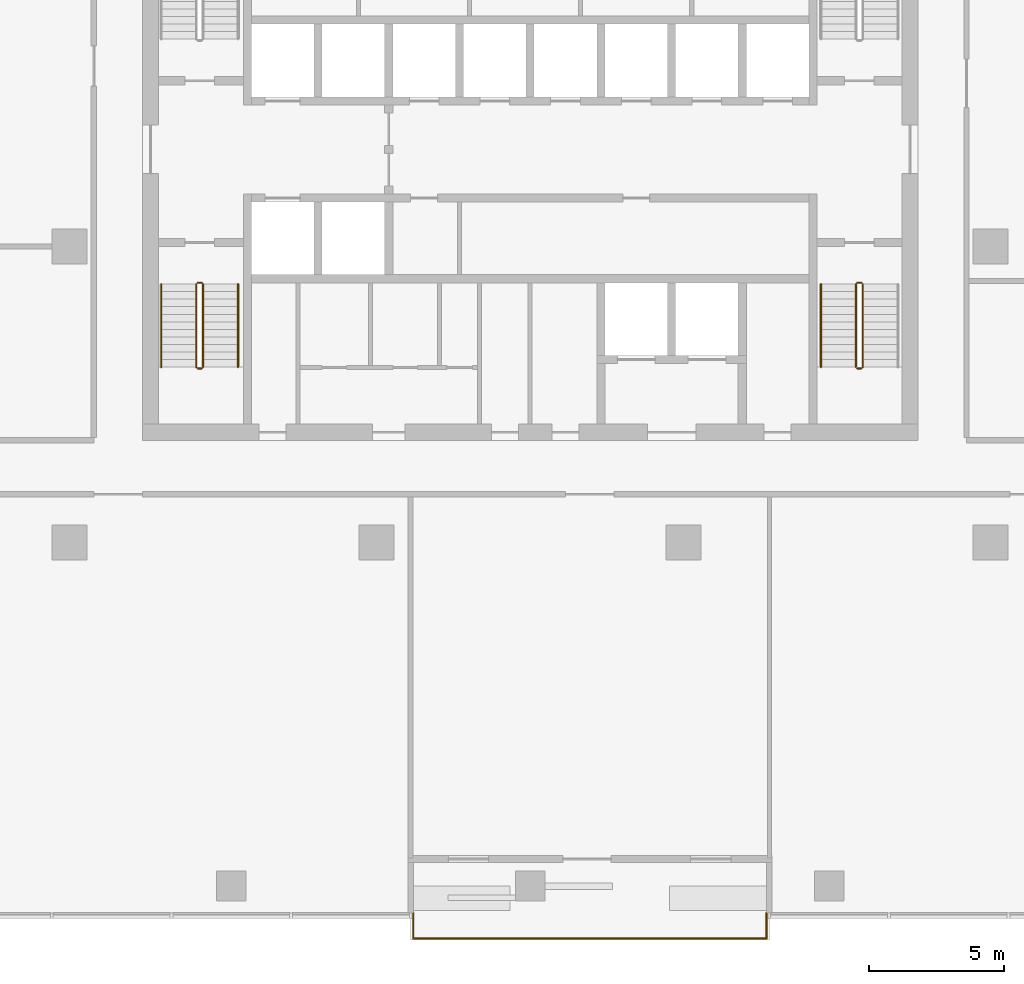
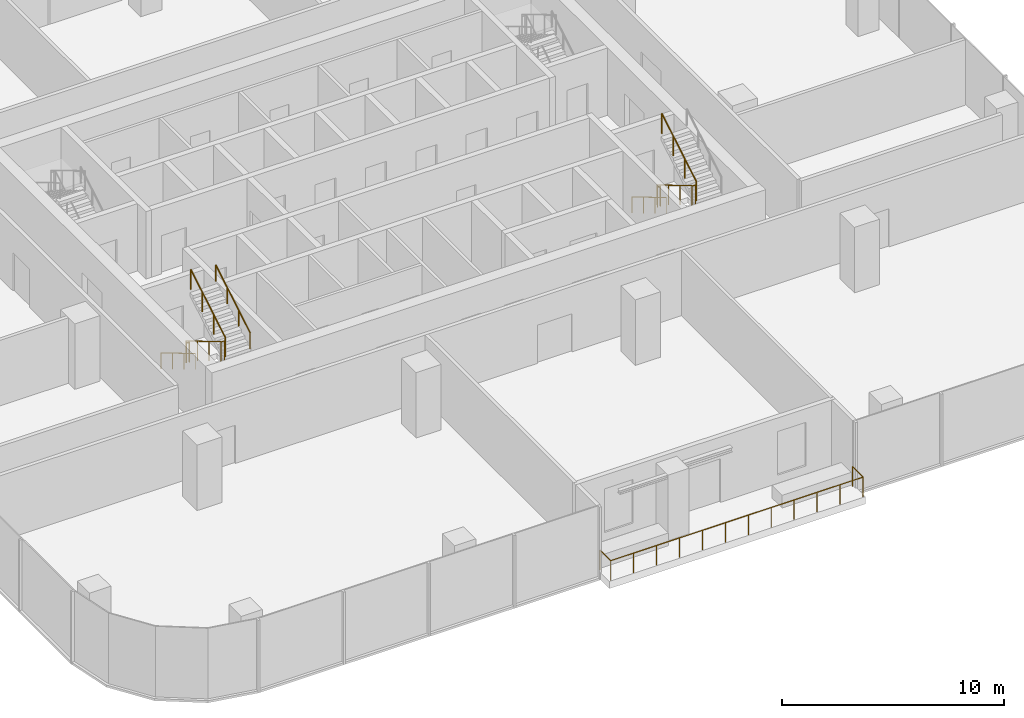
# One storey, part 11 of 14: 10 railings.
"""IFC4 building model written with IfcOpenShell, lengths in metres."""

from ifc_helpers import new_model, si_unit, direction, frame, origin, origin_2d, place, context, subcontext, project, spatial, circle, extrude, material, type_object, element, save


model = new_model("IFC4")

# Units and contexts
model_context = context("Model", 3, precision=1e-05, world=origin(), true_north=direction((0.0, 1.0)))
body_context = subcontext(model_context, "Body", "Model", "MODEL_VIEW")
ifc_project = project(units=[si_unit("LENGTHUNIT", "METRE"), si_unit("AREAUNIT", "SQUARE_METRE"), si_unit("VOLUMEUNIT", "CUBIC_METRE"), si_unit("PLANEANGLEUNIT", "RADIAN"), si_unit("MASSUNIT", "GRAM", prefix="KILO")], contexts=[model_context])

# Site, building, storey
site_placement = place(None, origin())
site = spatial("IfcSite", under=ifc_project, at=site_placement, CompositionType="ELEMENT")
building_placement = place(site_placement, origin())
building = spatial("IfcBuilding", under=site, at=building_placement, Name="Mopane Tessera Tower", CompositionType="ELEMENT")
storey_placement = place(building_placement, frame((0.0, 0.0, 239.0)))
storey = spatial("IfcBuildingStorey", under=building, at=storey_placement, Name="L51", CompositionType="ELEMENT", Elevation=239.0)

# Railings
ifc_material_1 = material(Name="Powder-coated steel balustrade", Category="steel")
railing_type_1 = type_object("IfcRailingType", Name="Escape stair guard 1100 mm", PredefinedType="GUARDRAIL", material=ifc_material_1)
railing_1_placement = place(storey_placement, frame((-12.39990234375, -1.39990234375, 0.166748046875)))
element("IfcRailing", 1, at=railing_1_placement, inside=storey, type_object=railing_type_1, Name="L51 ST1 stair guard 1", PredefinedType="GUARDRAIL", context=body_context, shape_type="SweptSolid", body=[
    extrude(circle(Radius=0.02392578125, at=origin_2d()), frame((0.0, 0.0, 1.076171875), z_axis=(0.0, -0.859308565015, 0.511457515432), x_axis=(1.0, 0.0, 0.0)), (0.0, 0.0, 1.0), 3.58447265625),
    extrude(circle(Radius=0.02392578125, at=origin_2d()), frame((0.0, -3.080078125, 2.9091796875), z_axis=(0.705375805398, -0.708833529934, 0.0), x_axis=(0.708833529934, 0.705375805398, 0.0)), (0.0, 0.0, 1.0), 0.070556640625),
    extrude(circle(Radius=0.02392578125, at=origin_2d()), frame((0.0498046875, -3.130126953125, 2.9091796875), z_axis=(1.0, 0.0, 0.0), x_axis=(0.0, 1.0, 0.0)), (0.0, 0.0, 1.0), 0.150146484375),
    extrude(circle(Radius=0.02099609375, at=origin_2d()), origin(), (0.0, 0.0, 1.0), 1.052001953125),
    extrude(circle(Radius=0.02099609375, at=origin_2d()), frame((0.0, -1.026611328125, 0.611083984375)), (0.0, 0.0, 1.0), 1.052001953125),
    extrude(circle(Radius=0.02099609375, at=origin_2d()), frame((0.0, -2.053466796875, 1.22216796875)), (0.0, 0.0, 1.0), 1.052001953125),
    extrude(circle(Radius=0.02099609375, at=origin_2d()), frame((0.0, -3.080078125, 1.833251953125)), (0.0, 0.0, 1.0), 1.052001953125),
    extrude(circle(Radius=0.02099609375, at=origin_2d()), frame((0.0498046875, -3.130126953125, 1.833251953125)), (0.0, 0.0, 1.0), 1.052001953125),
    extrude(circle(Radius=0.02099609375, at=origin_2d()), frame((0.199951171875, -3.130126953125, 1.833251953125)), (0.0, 0.0, 1.0), 1.052001953125),
])
railing_2_placement = place(storey_placement, frame((-12.14990234375, -4.47998046875, 2.166748046875)))
element("IfcRailing", 2, at=railing_2_placement, inside=storey, type_object=railing_type_1, Name="L51 ST1 stair guard 2", PredefinedType="GUARDRAIL", context=body_context, shape_type="SweptSolid", body=[
    extrude(circle(Radius=0.02392578125, at=origin_2d()), frame((0.0, 0.0, 1.076171875), z_axis=(0.0, 0.859308565015, 0.511457515432), x_axis=(-1.0, 0.0, 0.0)), (0.0, 0.0, 1.0), 3.58447265625),
    extrude(circle(Radius=0.02099609375, at=origin_2d()), origin(), (0.0, 0.0, 1.0), 1.052001953125),
    extrude(circle(Radius=0.02099609375, at=origin_2d()), frame((0.0, 1.026611328125, 0.611083984375)), (0.0, 0.0, 1.0), 1.052001953125),
    extrude(circle(Radius=0.02099609375, at=origin_2d()), frame((0.0, 2.053466796875, 1.22216796875)), (0.0, 0.0, 1.0), 1.052001953125),
    extrude(circle(Radius=0.02099609375, at=origin_2d()), frame((0.0, 3.080078125, 1.833251953125)), (0.0, 0.0, 1.0), 1.052001953125),
])
railing_3_placement = place(storey_placement, frame((-12.35009765625, -1.35009765625, 0.0)))
element("IfcRailing", 3, at=railing_3_placement, inside=storey, type_object=railing_type_1, Name="L51 ST1 stair guard 3", PredefinedType="GUARDRAIL", context=body_context, shape_type="SweptSolid", body=[
    extrude(circle(Radius=0.02392578125, at=origin_2d()), frame((0.0, 0.0, 1.076171875), z_axis=(1.0, 0.0, 0.0), x_axis=(0.0, 1.0, 0.0)), (0.0, 0.0, 1.0), 0.150146484375),
    extrude(circle(Radius=0.02099609375, at=origin_2d()), origin(), (0.0, 0.0, 1.0), 1.052001953125),
    extrude(circle(Radius=0.02099609375, at=origin_2d()), frame((0.150146484375, 0.0, 0.0)), (0.0, 0.0, 1.0), 1.052001953125),
])
railing_4_placement = place(storey_placement, frame((12.10009765625, -1.39990234375, 0.166748046875)))
element("IfcRailing", 4, at=railing_4_placement, inside=storey, type_object=railing_type_1, Name="L51 ST3 stair guard 1", PredefinedType="GUARDRAIL", context=body_context, shape_type="SweptSolid", body=[
    extrude(circle(Radius=0.02392578125, at=origin_2d()), frame((0.0, 0.0, 1.076171875), z_axis=(0.0, -0.859308565015, 0.511457515432), x_axis=(1.0, 0.0, 0.0)), (0.0, 0.0, 1.0), 3.58447265625),
    extrude(circle(Radius=0.02392578125, at=origin_2d()), frame((0.0, -3.080078125, 2.9091796875), z_axis=(0.705375805398, -0.708833529934, 0.0), x_axis=(0.708833529934, 0.705375805398, 0.0)), (0.0, 0.0, 1.0), 0.070556640625),
    extrude(circle(Radius=0.02392578125, at=origin_2d()), frame((0.0498046875, -3.130126953125, 2.9091796875), z_axis=(1.0, 0.0, 0.0), x_axis=(0.0, 1.0, 0.0)), (0.0, 0.0, 1.0), 0.150146484375),
    extrude(circle(Radius=0.02099609375, at=origin_2d()), origin(), (0.0, 0.0, 1.0), 1.052001953125),
    extrude(circle(Radius=0.02099609375, at=origin_2d()), frame((0.0, -1.026611328125, 0.611083984375)), (0.0, 0.0, 1.0), 1.052001953125),
    extrude(circle(Radius=0.02099609375, at=origin_2d()), frame((0.0, -2.053466796875, 1.22216796875)), (0.0, 0.0, 1.0), 1.052001953125),
    extrude(circle(Radius=0.02099609375, at=origin_2d()), frame((0.0, -3.080078125, 1.833251953125)), (0.0, 0.0, 1.0), 1.052001953125),
    extrude(circle(Radius=0.02099609375, at=origin_2d()), frame((0.0498046875, -3.130126953125, 1.833251953125)), (0.0, 0.0, 1.0), 1.052001953125),
    extrude(circle(Radius=0.02099609375, at=origin_2d()), frame((0.199951171875, -3.130126953125, 1.833251953125)), (0.0, 0.0, 1.0), 1.052001953125),
])
railing_5_placement = place(storey_placement, frame((12.35009765625, -4.47998046875, 2.166748046875)))
element("IfcRailing", 5, at=railing_5_placement, inside=storey, type_object=railing_type_1, Name="L51 ST3 stair guard 2", PredefinedType="GUARDRAIL", context=body_context, shape_type="SweptSolid", body=[
    extrude(circle(Radius=0.02392578125, at=origin_2d()), frame((0.0, 0.0, 1.076171875), z_axis=(0.0, 0.859308565015, 0.511457515432), x_axis=(-1.0, 0.0, 0.0)), (0.0, 0.0, 1.0), 3.58447265625),
    extrude(circle(Radius=0.02099609375, at=origin_2d()), origin(), (0.0, 0.0, 1.0), 1.052001953125),
    extrude(circle(Radius=0.02099609375, at=origin_2d()), frame((0.0, 1.026611328125, 0.611083984375)), (0.0, 0.0, 1.0), 1.052001953125),
    extrude(circle(Radius=0.02099609375, at=origin_2d()), frame((0.0, 2.053466796875, 1.22216796875)), (0.0, 0.0, 1.0), 1.052001953125),
    extrude(circle(Radius=0.02099609375, at=origin_2d()), frame((0.0, 3.080078125, 1.833251953125)), (0.0, 0.0, 1.0), 1.052001953125),
])
railing_6_placement = place(storey_placement, frame((12.14990234375, -1.35009765625, 0.0)))
element("IfcRailing", 6, at=railing_6_placement, inside=storey, type_object=railing_type_1, Name="L51 ST3 stair guard 3", PredefinedType="GUARDRAIL", context=body_context, shape_type="SweptSolid", body=[
    extrude(circle(Radius=0.02392578125, at=origin_2d()), frame((0.0, 0.0, 1.076171875), z_axis=(1.0, 0.0, 0.0), x_axis=(0.0, 1.0, 0.0)), (0.0, 0.0, 1.0), 0.150146484375),
    extrude(circle(Radius=0.02099609375, at=origin_2d()), origin(), (0.0, 0.0, 1.0), 1.052001953125),
    extrude(circle(Radius=0.02099609375, at=origin_2d()), frame((0.150146484375, 0.0, 0.0)), (0.0, 0.0, 1.0), 1.052001953125),
])
ifc_material_2 = material(Name="Powder-coated steel balustrade", Category="steel")
railing_type_2 = type_object("IfcRailingType", Name="Escape stair handrail 900 mm", PredefinedType="HANDRAIL", material=ifc_material_2)
railing_7_placement = place(storey_placement, frame((-13.699951171875, -1.39990234375, 0.166748046875)))
element("IfcRailing", 7, at=railing_7_placement, inside=storey, type_object=railing_type_2, Name="L51 ST1 stair handrail 1", PredefinedType="HANDRAIL", context=body_context, shape_type="SweptSolid", body=[
    extrude(circle(Radius=0.02392578125, at=origin_2d()), frame((0.0, 0.0, 0.8759765625), z_axis=(0.0, -0.859308565015, 0.511457515432), x_axis=(1.0, 0.0, 0.0)), (0.0, 0.0, 1.0), 3.58447265625),
    extrude(circle(Radius=0.02099609375, at=origin_2d()), origin(), (0.0, 0.0, 1.0), 0.851806640625),
    extrude(circle(Radius=0.02099609375, at=origin_2d()), frame((0.0, -1.026611328125, 0.611083984375)), (0.0, 0.0, 1.0), 0.851806640625),
    extrude(circle(Radius=0.02099609375, at=origin_2d()), frame((0.0, -2.053466796875, 1.22216796875)), (0.0, 0.0, 1.0), 0.851806640625),
    extrude(circle(Radius=0.02099609375, at=origin_2d()), frame((0.0, -3.080078125, 1.833251953125)), (0.0, 0.0, 1.0), 0.851806640625),
])
railing_8_placement = place(storey_placement, frame((-10.85009765625, -4.47998046875, 2.166748046875)))
element("IfcRailing", 8, at=railing_8_placement, inside=storey, type_object=railing_type_2, Name="L51 ST1 stair handrail 2", PredefinedType="HANDRAIL", context=body_context, shape_type="SweptSolid", body=[
    extrude(circle(Radius=0.02392578125, at=origin_2d()), frame((0.0, 0.0, 0.8759765625), z_axis=(0.0, 0.859308565015, 0.511457515432), x_axis=(-1.0, 0.0, 0.0)), (0.0, 0.0, 1.0), 3.58447265625),
    extrude(circle(Radius=0.02099609375, at=origin_2d()), origin(), (0.0, 0.0, 1.0), 0.851806640625),
    extrude(circle(Radius=0.02099609375, at=origin_2d()), frame((0.0, 1.026611328125, 0.611083984375)), (0.0, 0.0, 1.0), 0.851806640625),
    extrude(circle(Radius=0.02099609375, at=origin_2d()), frame((0.0, 2.053466796875, 1.22216796875)), (0.0, 0.0, 1.0), 0.851806640625),
    extrude(circle(Radius=0.02099609375, at=origin_2d()), frame((0.0, 3.080078125, 1.833251953125)), (0.0, 0.0, 1.0), 0.851806640625),
])
railing_9_placement = place(storey_placement, frame((10.800048828125, -1.39990234375, 0.166748046875)))
element("IfcRailing", 9, at=railing_9_placement, inside=storey, type_object=railing_type_2, Name="L51 ST3 stair handrail 1", PredefinedType="HANDRAIL", context=body_context, shape_type="SweptSolid", body=[
    extrude(circle(Radius=0.02392578125, at=origin_2d()), frame((0.0, 0.0, 0.8759765625), z_axis=(0.0, -0.859308565015, 0.511457515432), x_axis=(1.0, 0.0, 0.0)), (0.0, 0.0, 1.0), 3.58447265625),
    extrude(circle(Radius=0.02099609375, at=origin_2d()), origin(), (0.0, 0.0, 1.0), 0.851806640625),
    extrude(circle(Radius=0.02099609375, at=origin_2d()), frame((0.0, -1.026611328125, 0.611083984375)), (0.0, 0.0, 1.0), 0.851806640625),
    extrude(circle(Radius=0.02099609375, at=origin_2d()), frame((0.0, -2.053466796875, 1.22216796875)), (0.0, 0.0, 1.0), 0.851806640625),
    extrude(circle(Radius=0.02099609375, at=origin_2d()), frame((0.0, -3.080078125, 1.833251953125)), (0.0, 0.0, 1.0), 0.851806640625),
])
ifc_material_3 = material(Name="Stainless steel S316", Category="steel")
railing_type_3 = type_object("IfcRailingType", Name="Terrace guard 1100", PredefinedType="GUARDRAIL", material=ifc_material_3)
railing_10_placement = place(storey_placement, frame((-4.340087890625, -24.75, 0.0)))
element("IfcRailing", 10, at=railing_10_placement, inside=storey, type_object=railing_type_3, Name="e:nw:L51:N1:guard", PredefinedType="GUARDRAIL", context=body_context, shape_type="SweptSolid", body=[
    extrude(circle(Radius=0.02392578125, at=origin_2d()), frame((0.0, 0.0, 1.076171875), z_axis=(0.0, -1.0, 0.0), x_axis=(1.0, 0.0, 0.0)), (0.0, 0.0, 1.0), 0.949951171875),
    extrude(circle(Radius=0.02392578125, at=origin_2d()), frame((0.0, -0.949951171875, 1.076171875), z_axis=(1.0, 0.0, 0.0), x_axis=(0.0, 1.0, 0.0)), (0.0, 0.0, 1.0), 13.1201171875),
    extrude(circle(Radius=0.02392578125, at=origin_2d()), frame((13.1201171875, -0.949951171875, 1.076171875), z_axis=(0.0, 1.0, 0.0), x_axis=(-1.0, 0.0, 0.0)), (0.0, 0.0, 1.0), 0.949951171875),
    extrude(circle(Radius=0.02099609375, at=origin_2d()), origin(), (0.0, 0.0, 1.0), 1.052001953125),
    extrude(circle(Radius=0.02099609375, at=origin_2d()), frame((0.0, -0.949951171875, 0.0)), (0.0, 0.0, 1.0), 1.052001953125),
    extrude(circle(Radius=0.02099609375, at=origin_2d()), frame((1.192626953125, -0.949951171875, 0.0)), (0.0, 0.0, 1.0), 1.052001953125),
    extrude(circle(Radius=0.02099609375, at=origin_2d()), frame((2.385498046875, -0.949951171875, 0.0)), (0.0, 0.0, 1.0), 1.052001953125),
    extrude(circle(Radius=0.02099609375, at=origin_2d()), frame((3.578125, -0.949951171875, 0.0)), (0.0, 0.0, 1.0), 1.052001953125),
    extrude(circle(Radius=0.02099609375, at=origin_2d()), frame((4.77099609375, -0.949951171875, 0.0)), (0.0, 0.0, 1.0), 1.052001953125),
    extrude(circle(Radius=0.02099609375, at=origin_2d()), frame((5.963623046875, -0.949951171875, 0.0)), (0.0, 0.0, 1.0), 1.052001953125),
    extrude(circle(Radius=0.02099609375, at=origin_2d()), frame((7.156494140625, -0.949951171875, 0.0)), (0.0, 0.0, 1.0), 1.052001953125),
    extrude(circle(Radius=0.02099609375, at=origin_2d()), frame((8.34912109375, -0.949951171875, 0.0)), (0.0, 0.0, 1.0), 1.052001953125),
    extrude(circle(Radius=0.02099609375, at=origin_2d()), frame((9.5419921875, -0.949951171875, 0.0)), (0.0, 0.0, 1.0), 1.052001953125),
    extrude(circle(Radius=0.02099609375, at=origin_2d()), frame((10.734619140625, -0.949951171875, 0.0)), (0.0, 0.0, 1.0), 1.052001953125),
    extrude(circle(Radius=0.02099609375, at=origin_2d()), frame((11.927490234375, -0.949951171875, 0.0)), (0.0, 0.0, 1.0), 1.052001953125),
    extrude(circle(Radius=0.02099609375, at=origin_2d()), frame((13.1201171875, -0.949951171875, 0.0)), (0.0, 0.0, 1.0), 1.052001953125),
    extrude(circle(Radius=0.02099609375, at=origin_2d()), frame((13.1201171875, 0.0, 0.0)), (0.0, 0.0, 1.0), 1.052001953125),
])

save(model, "model.ifc")
